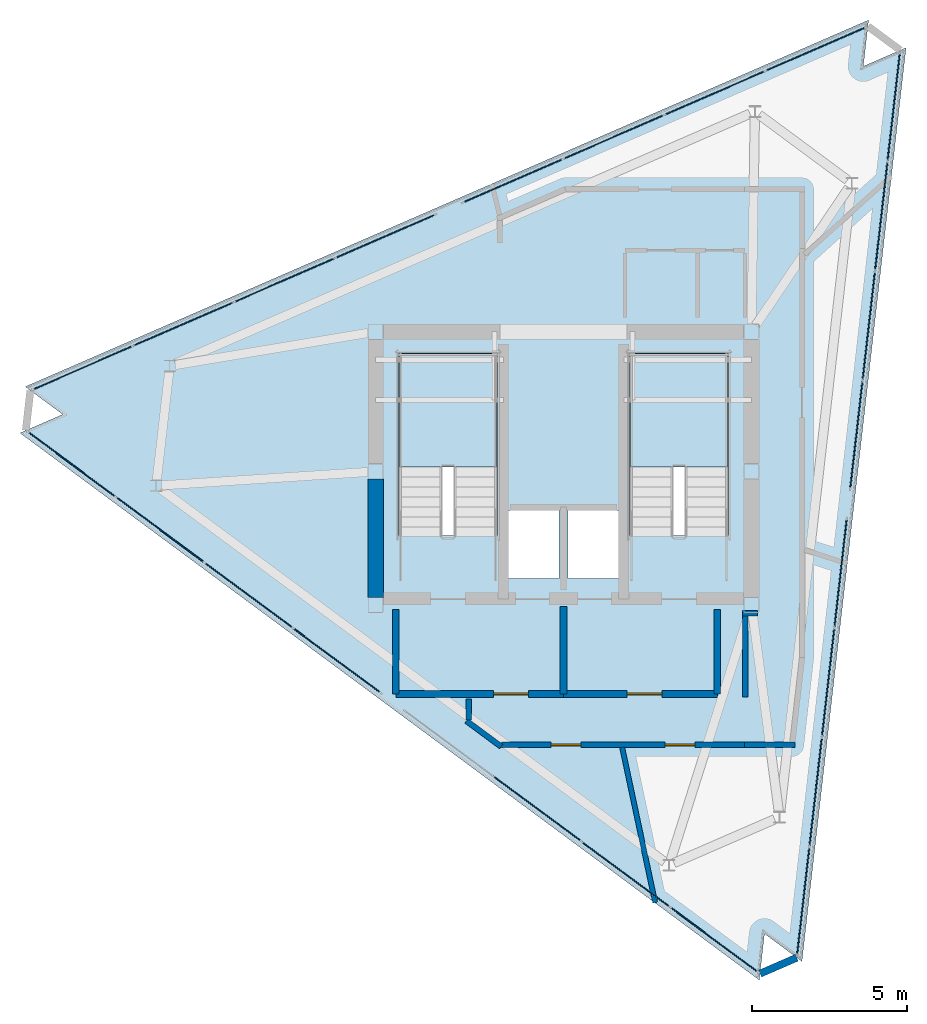
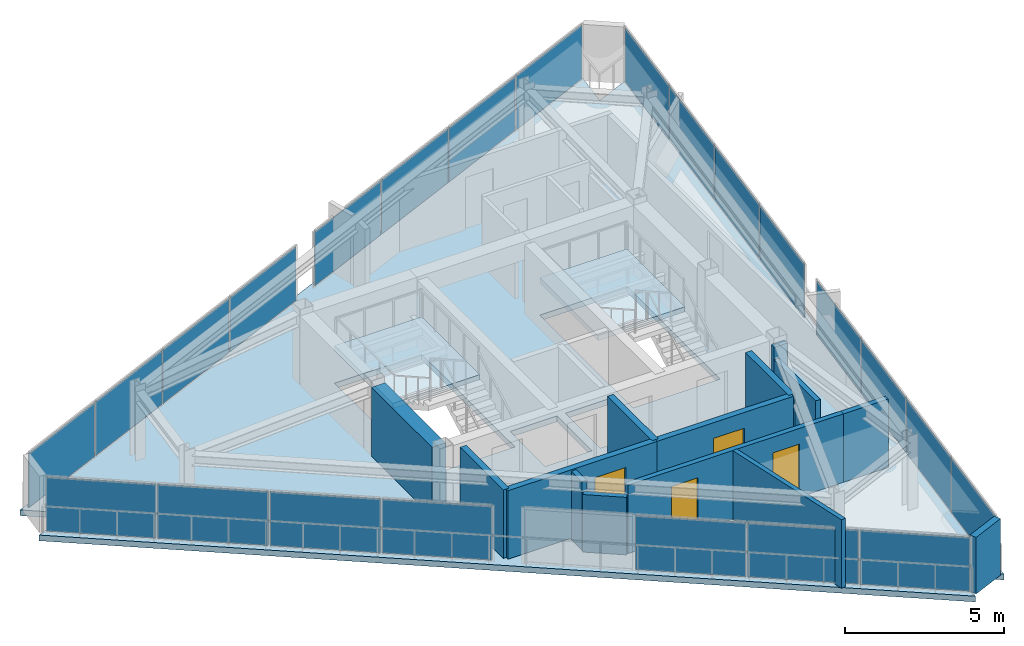
# One storey, part 6 of 9: 23 plates, 14 walls, 4 doors, 3 slabs, 4 openings, 8 elements without a shape of their own.
"""IFC4 building model written with IfcOpenShell, lengths in metres."""

from ifc_helpers import new_model, si_unit, direction, frame, frame_2d, origin, origin_2d, place, context, subcontext, project, spatial, polyline, rectangle, outline, extrude, material, layer, layer_set, type_object, element, fill, aggregate, save


model = new_model("IFC4")

# Units and contexts
model_context = context("Model", 3, precision=1e-05, world=origin(), true_north=direction((0.0, 1.0)))
body_context = subcontext(model_context, "Body", "Model", "MODEL_VIEW")
ifc_project = project(units=[si_unit("LENGTHUNIT", "METRE"), si_unit("AREAUNIT", "SQUARE_METRE"), si_unit("VOLUMEUNIT", "CUBIC_METRE"), si_unit("PLANEANGLEUNIT", "RADIAN"), si_unit("MASSUNIT", "GRAM", prefix="KILO")], contexts=[model_context])

# Site, building, storey
site_placement = place(None, origin())
site = spatial("IfcSite", under=ifc_project, at=site_placement, CompositionType="ELEMENT")
building_placement = place(site_placement, origin())
building = spatial("IfcBuilding", under=site, at=building_placement, Name="Rocaltana Carrier Exchange", CompositionType="ELEMENT")
storey_placement = place(building_placement, frame((0.0, 0.0, 249.1201171875)))
storey = spatial("IfcBuildingStorey", under=building, at=storey_placement, Name="L79", CompositionType="ELEMENT", Elevation=249.1201171875)

# Curtain wall, plates
ifc_material_1 = material(Name="Aluminium 6063-T6", Category="aluminium")
ifc_layer_1 = layer(ifc_material_1, 0.110107421875)
ifc_layer_set_1 = layer_set([ifc_layer_1], Name="Aluminium 6063-T6")
curtain_wall_type = type_object("IfcCurtainWallType", Name="Crown Lantern Faceted Curtain Wall CW-06", PredefinedType="NOTDEFINED", material=ifc_layer_set_1)
curtain_wall_1_placement = place(storey_placement, origin())
curtain_wall_1 = element("IfcCurtainWall", 1, at=curtain_wall_1_placement, inside=storey, type_object=curtain_wall_type, Name="L79 CW-06 Run CW06-L79-F1S1", PredefinedType="NOTDEFINED")
ifc_material_2 = material(Name="Tempered Laminated Glass", Category="glass")
ifc_layer_2 = layer(ifc_material_2, 0.033935546875)
ifc_layer_set_2 = layer_set([ifc_layer_2], Name="Tempered Laminated Glass")
plate_type = type_object("IfcPlateType", Name="CW-06 Stone-Insulated Vision Panel", PredefinedType="CURTAIN_PANEL", material=ifc_layer_set_2)
plate_1_placement = place(storey_placement, frame((7.715576171875, -13.823486328125, 0.054931640625), z_axis=(0.0, 0.0, 1.0), x_axis=(0.113204373575, 0.993571723533, 0.0)))
plate_1 = element("IfcPlate", 2, at=plate_1_placement, type_object=plate_type, Name="CW-06 panel 1.1", PredefinedType="CURTAIN_PANEL", context=body_context, shape_type="SweptSolid", body=[
    extrude(rectangle(XDim=3.467529296875, YDim=0.033935546875, at=origin_2d()), origin(), (0.0, 0.0, 1.0), 2.05810546875),
])
plate_2_placement = place(storey_placement, frame((8.11572265625, -10.31005859375, 0.054931640625), z_axis=(0.0, 0.0, 1.0), x_axis=(0.113204373575, 0.993571723533, 0.0)))
plate_2 = element("IfcPlate", 3, at=plate_2_placement, type_object=plate_type, Name="CW-06 panel 2.1", PredefinedType="CURTAIN_PANEL", context=body_context, shape_type="SweptSolid", body=[
    extrude(rectangle(XDim=3.4951171875, YDim=0.033935546875, at=origin_2d()), origin(), (0.0, 0.0, 1.0), 2.05810546875),
])
plate_3_placement = place(storey_placement, frame((8.517578125, -6.782958984375, 0.054931640625), z_axis=(0.0, 0.0, 1.0), x_axis=(0.113204373575, 0.993571723533, 0.0)))
plate_3 = element("IfcPlate", 4, at=plate_3_placement, type_object=plate_type, Name="CW-06 panel 3.1", PredefinedType="CURTAIN_PANEL", context=body_context, shape_type="SweptSolid", body=[
    extrude(rectangle(XDim=3.4951171875, YDim=0.033935546875, at=origin_2d()), origin(), (0.0, 0.0, 1.0), 2.05810546875),
])
plate_4_placement = place(storey_placement, frame((8.91796875, -3.269287109375, 0.054931640625), z_axis=(0.0, 0.0, 1.0), x_axis=(0.113204373575, 0.993571723533, 0.0)))
plate_4 = element("IfcPlate", 5, at=plate_4_placement, type_object=plate_type, Name="CW-06 panel 4.1", PredefinedType="CURTAIN_PANEL", context=body_context, shape_type="SweptSolid", body=[
    extrude(rectangle(XDim=3.467529296875, YDim=0.033935546875, at=origin_2d()), origin(), (0.0, 0.0, 1.0), 2.05810546875),
])
aggregate(curtain_wall_1, [plate_1, plate_2, plate_3, plate_4])

curtain_wall_2_placement = place(storey_placement, origin())
curtain_wall_2 = element("IfcCurtainWall", 6, at=curtain_wall_2_placement, inside=storey, type_object=curtain_wall_type, Name="L79 CW-06 Run CW06-L79-F1S2", PredefinedType="NOTDEFINED")
plate_5_placement = place(storey_placement, frame((9.4248046875, 1.179443359375, 0.054931640625), z_axis=(0.0, 0.0, 1.0), x_axis=(0.113204373575, 0.993571723533, 0.0)))
plate_5 = element("IfcPlate", 7, at=plate_5_placement, type_object=plate_type, Name="CW-06 panel 1.1", PredefinedType="CURTAIN_PANEL", context=body_context, shape_type="SweptSolid", body=[
    extrude(rectangle(XDim=3.467529296875, YDim=0.033935546875, at=origin_2d()), origin(), (0.0, 0.0, 1.0), 2.05810546875),
])
plate_6_placement = place(storey_placement, frame((9.8251953125, 4.69287109375, 0.054931640625), z_axis=(0.0, 0.0, 1.0), x_axis=(0.113204373575, 0.993571723533, 0.0)))
plate_6 = element("IfcPlate", 8, at=plate_6_placement, type_object=plate_type, Name="CW-06 panel 2.1", PredefinedType="CURTAIN_PANEL", context=body_context, shape_type="SweptSolid", body=[
    extrude(rectangle(XDim=3.4951171875, YDim=0.033935546875, at=origin_2d()), origin(), (0.0, 0.0, 1.0), 2.05810546875),
])
plate_7_placement = place(storey_placement, frame((10.22705078125, 8.22021484375, 0.054931640625), z_axis=(0.0, 0.0, 1.0), x_axis=(0.113204373575, 0.993571723533, 0.0)))
plate_7 = element("IfcPlate", 9, at=plate_7_placement, type_object=plate_type, Name="CW-06 panel 3.1", PredefinedType="CURTAIN_PANEL", context=body_context, shape_type="SweptSolid", body=[
    extrude(rectangle(XDim=3.4951171875, YDim=0.033935546875, at=origin_2d()), origin(), (0.0, 0.0, 1.0), 2.05810546875),
])
plate_8_placement = place(storey_placement, frame((10.62744140625, 11.733642578125, 0.054931640625), z_axis=(0.0, 0.0, 1.0), x_axis=(0.113204373575, 0.993571723533, 0.0)))
plate_8 = element("IfcPlate", 10, at=plate_8_placement, type_object=plate_type, Name="CW-06 panel 4.1", PredefinedType="CURTAIN_PANEL", context=body_context, shape_type="SweptSolid", body=[
    extrude(rectangle(XDim=3.467529296875, YDim=0.033935546875, at=origin_2d()), origin(), (0.0, 0.0, 1.0), 2.05810546875),
])
aggregate(curtain_wall_2, [plate_5, plate_6, plate_7, plate_8])

curtain_wall_3_placement = place(storey_placement, origin())
curtain_wall_3 = element("IfcCurtainWall", 11, at=curtain_wall_3_placement, inside=storey, type_object=curtain_wall_type, Name="L79 CW-06 Run CW06-L79-F2S1", PredefinedType="NOTDEFINED")
plate_9_placement = place(storey_placement, frame((8.11376953125, 13.59375, 0.054931640625), z_axis=(0.0, 0.0, 1.0), x_axis=(-0.917058971958, -0.398751604325, 0.0)))
plate_9 = element("IfcPlate", 12, at=plate_9_placement, type_object=plate_type, Name="CW-06 panel 1.1", PredefinedType="CURTAIN_PANEL", context=body_context, shape_type="SweptSolid", body=[
    extrude(rectangle(XDim=3.467529296875, YDim=0.033935546875, at=origin_2d()), origin(), (0.0, 0.0, 1.0), 2.05810546875),
])
plate_10_placement = place(storey_placement, frame((4.870849609375, 12.18359375, 0.054931640625), z_axis=(0.0, 0.0, 1.0), x_axis=(-0.917058971958, -0.398751604325, 0.0)))
plate_10 = element("IfcPlate", 13, at=plate_10_placement, type_object=plate_type, Name="CW-06 panel 2.1", PredefinedType="CURTAIN_PANEL", context=body_context, shape_type="SweptSolid", body=[
    extrude(rectangle(XDim=3.4951171875, YDim=0.033935546875, at=origin_2d()), origin(), (0.0, 0.0, 1.0), 2.05810546875),
])
plate_11_placement = place(storey_placement, frame((1.615234375, 10.76806640625, 0.054931640625), z_axis=(0.0, 0.0, 1.0), x_axis=(-0.917058971958, -0.398751604325, 0.0)))
plate_11 = element("IfcPlate", 14, at=plate_11_placement, type_object=plate_type, Name="CW-06 panel 3.1", PredefinedType="CURTAIN_PANEL", context=body_context, shape_type="SweptSolid", body=[
    extrude(rectangle(XDim=3.4951171875, YDim=0.033935546875, at=origin_2d()), origin(), (0.0, 0.0, 1.0), 2.05810546875),
])
plate_12_placement = place(storey_placement, frame((-1.627685546875, 9.35791015625, 0.054931640625), z_axis=(0.0, 0.0, 1.0), x_axis=(-0.917058971958, -0.398751604325, 0.0)))
plate_12 = element("IfcPlate", 15, at=plate_12_placement, type_object=plate_type, Name="CW-06 panel 4.1", PredefinedType="CURTAIN_PANEL", context=body_context, shape_type="SweptSolid", body=[
    extrude(rectangle(XDim=3.467529296875, YDim=0.033935546875, at=origin_2d()), origin(), (0.0, 0.0, 1.0), 2.05810546875),
])
aggregate(curtain_wall_3, [plate_9, plate_10, plate_11, plate_12])

curtain_wall_4_placement = place(storey_placement, origin())
curtain_wall_4 = element("IfcCurtainWall", 16, at=curtain_wall_4_placement, inside=storey, type_object=curtain_wall_type, Name="L79 CW-06 Run CW06-L79-F2S2", PredefinedType="NOTDEFINED")
plate_13_placement = place(storey_placement, frame((-5.73388671875, 7.572509765625, 0.054931640625), z_axis=(0.0, 0.0, 1.0), x_axis=(-0.917057852215, -0.398754179529, 0.0)))
plate_13 = element("IfcPlate", 17, at=plate_13_placement, type_object=plate_type, Name="CW-06 panel 1.1", PredefinedType="CURTAIN_PANEL", context=body_context, shape_type="SweptSolid", body=[
    extrude(rectangle(XDim=3.467529296875, YDim=0.033935546875, at=origin_2d()), origin(), (0.0, 0.0, 1.0), 2.05810546875),
])
plate_14_placement = place(storey_placement, frame((-8.976806640625, 6.162353515625, 0.054931640625), z_axis=(0.0, 0.0, 1.0), x_axis=(-0.917057852215, -0.398754179529, 0.0)))
plate_14 = element("IfcPlate", 18, at=plate_14_placement, type_object=plate_type, Name="CW-06 panel 2.1", PredefinedType="CURTAIN_PANEL", context=body_context, shape_type="SweptSolid", body=[
    extrude(rectangle(XDim=3.494873046875, YDim=0.033935546875, at=origin_2d()), origin(), (0.0, 0.0, 1.0), 2.05810546875),
])
plate_15_placement = place(storey_placement, frame((-12.232421875, 4.746826171875, 0.054931640625), z_axis=(0.0, 0.0, 1.0), x_axis=(-0.917057852215, -0.398754179529, 0.0)))
plate_15 = element("IfcPlate", 19, at=plate_15_placement, type_object=plate_type, Name="CW-06 panel 3.1", PredefinedType="CURTAIN_PANEL", context=body_context, shape_type="SweptSolid", body=[
    extrude(rectangle(XDim=3.494873046875, YDim=0.033935546875, at=origin_2d()), origin(), (0.0, 0.0, 1.0), 2.05810546875),
])
plate_16_placement = place(storey_placement, frame((-15.475341796875, 3.336669921875, 0.054931640625), z_axis=(0.0, 0.0, 1.0), x_axis=(-0.917057852215, -0.398754179529, 0.0)))
plate_16 = element("IfcPlate", 20, at=plate_16_placement, type_object=plate_type, Name="CW-06 panel 4.1", PredefinedType="CURTAIN_PANEL", context=body_context, shape_type="SweptSolid", body=[
    extrude(rectangle(XDim=3.467529296875, YDim=0.033935546875, at=origin_2d()), origin(), (0.0, 0.0, 1.0), 2.05810546875),
])
aggregate(curtain_wall_4, [plate_13, plate_14, plate_15, plate_16])

curtain_wall_5_placement = place(storey_placement, origin())
curtain_wall_5 = element("IfcCurtainWall", 21, at=curtain_wall_5_placement, inside=storey, type_object=curtain_wall_type, Name="L79 CW-06 Run CW06-L79-F3S1", PredefinedType="NOTDEFINED")
plate_17_placement = place(storey_placement, frame((-15.829345703125, 0.22998046875, 0.054931640625), z_axis=(0.0, 0.0, 1.0), x_axis=(0.803857119192, -0.594822437307, 0.0)))
plate_17 = element("IfcPlate", 22, at=plate_17_placement, type_object=plate_type, Name="CW-06 panel 1.1", PredefinedType="CURTAIN_PANEL", context=body_context, shape_type="SweptSolid", body=[
    extrude(rectangle(XDim=3.467529296875, YDim=0.033935546875, at=origin_2d()), origin(), (0.0, 0.0, 1.0), 2.05810546875),
])
plate_18_placement = place(storey_placement, frame((-12.986572265625, -1.87353515625, 0.054931640625), z_axis=(0.0, 0.0, 1.0), x_axis=(0.803857119192, -0.594822437307, 0.0)))
plate_18 = element("IfcPlate", 23, at=plate_18_placement, type_object=plate_type, Name="CW-06 panel 2.1", PredefinedType="CURTAIN_PANEL", context=body_context, shape_type="SweptSolid", body=[
    extrude(rectangle(XDim=3.4951171875, YDim=0.033935546875, at=origin_2d()), origin(), (0.0, 0.0, 1.0), 2.05810546875),
])
plate_19_placement = place(storey_placement, frame((-10.133056640625, -3.985107421875, 0.054931640625), z_axis=(0.0, 0.0, 1.0), x_axis=(0.803857119192, -0.594822437307, 0.0)))
plate_19 = element("IfcPlate", 24, at=plate_19_placement, type_object=plate_type, Name="CW-06 panel 3.1", PredefinedType="CURTAIN_PANEL", context=body_context, shape_type="SweptSolid", body=[
    extrude(rectangle(XDim=3.4951171875, YDim=0.033935546875, at=origin_2d()), origin(), (0.0, 0.0, 1.0), 2.05810546875),
])
plate_20_placement = place(storey_placement, frame((-7.290283203125, -6.088623046875, 0.054931640625), z_axis=(0.0, 0.0, 1.0), x_axis=(0.803857119192, -0.594822437307, 0.0)))
plate_20 = element("IfcPlate", 25, at=plate_20_placement, type_object=plate_type, Name="CW-06 panel 4.1", PredefinedType="CURTAIN_PANEL", context=body_context, shape_type="SweptSolid", body=[
    extrude(rectangle(XDim=3.467529296875, YDim=0.033935546875, at=origin_2d()), origin(), (0.0, 0.0, 1.0), 2.05810546875),
])
aggregate(curtain_wall_5, [plate_17, plate_18, plate_19, plate_20])

curtain_wall_6_placement = place(storey_placement, origin())
curtain_wall_6 = element("IfcCurtainWall", 26, at=curtain_wall_6_placement, inside=storey, type_object=curtain_wall_type, Name="L79 CW-06 Run CW06-L79-F3S2", PredefinedType="NOTDEFINED")
plate_21_placement = place(storey_placement, frame((-0.848388671875, -10.855224609375, 0.054931640625), z_axis=(0.0, 0.0, 1.0), x_axis=(0.803857119192, -0.594822437307, 0.0)))
plate_21 = element("IfcPlate", 27, at=plate_21_placement, type_object=plate_type, Name="CW-06 panel 2.1", PredefinedType="CURTAIN_PANEL", context=body_context, shape_type="SweptSolid", body=[
    extrude(rectangle(XDim=3.4951171875, YDim=0.033935546875, at=origin_2d()), origin(), (0.0, 0.0, 1.0), 2.05810546875),
])
plate_22_placement = place(storey_placement, frame((2.00537109375, -12.967041015625, 0.054931640625), z_axis=(0.0, 0.0, 1.0), x_axis=(0.803857119192, -0.594822437307, 0.0)))
plate_22 = element("IfcPlate", 28, at=plate_22_placement, type_object=plate_type, Name="CW-06 panel 3.1", PredefinedType="CURTAIN_PANEL", context=body_context, shape_type="SweptSolid", body=[
    extrude(rectangle(XDim=3.4951171875, YDim=0.033935546875, at=origin_2d()), origin(), (0.0, 0.0, 1.0), 2.05810546875),
])
plate_23_placement = place(storey_placement, frame((4.847900390625, -15.0703125, 0.054931640625), z_axis=(0.0, 0.0, 1.0), x_axis=(0.803857119192, -0.594822437307, 0.0)))
plate_23 = element("IfcPlate", 29, at=plate_23_placement, type_object=plate_type, Name="CW-06 panel 4.1", PredefinedType="CURTAIN_PANEL", context=body_context, shape_type="SweptSolid", body=[
    extrude(rectangle(XDim=3.467529296875, YDim=0.033935546875, at=origin_2d()), origin(), (0.0, 0.0, 1.0), 2.05810546875),
])
aggregate(curtain_wall_6, [plate_21, plate_22, plate_23])

# Slab
ifc_material_3 = material(Name="Concrete C50/60", Category="concrete")
ifc_layer_3 = layer(ifc_material_3, 0.219970703125)
ifc_layer_set_3 = layer_set([ifc_layer_3], Name="Concrete C50/60")
slab_type_1 = type_object("IfcSlabType", Name="Crown Pyramid Slab 220", PredefinedType="FLOOR", material=ifc_layer_set_3)
slab_1_placement = place(storey_placement, frame((0.0, 0.0, -0.22021484375)))
element("IfcSlab", 30, at=slab_1_placement, inside=storey, type_object=slab_type_1, Name="L79 Structural Floor Slab", PredefinedType="FLOOR", context=body_context, shape_type="SweptSolid", body=[
    extrude(outline(polyline([(6.29931640625, -16.368408203125), (6.468994140625, -14.8779296875), (7.6748046875, -15.770263671875), (11.025634765625, 13.639404296875), (9.650146484375, 13.04150390625), (9.81982421875, 14.53173828125), (-17.324951171875, 2.728759765625), (-16.119384765625, 1.836669921875), (-17.494873046875, 1.23828125), (6.29931640625, -16.368408203125)]), holes=[polyline([(-5.300048828125, -2.06005859375), (-2.139892578125, -2.06005859375), (-2.139892578125, 3.800048828125), (-5.300048828125, 3.800048828125), (-5.300048828125, -2.06005859375)]), polyline([(2.139892578125, -2.06005859375), (5.300048828125, -2.06005859375), (5.300048828125, 3.800048828125), (2.139892578125, 3.800048828125), (2.139892578125, -2.06005859375)]), polyline([(-1.85009765625, -3.449951171875), (-0.14990234375, -3.449951171875), (-0.14990234375, -1.25), (-1.85009765625, -1.25), (-1.85009765625, -3.449951171875)]), polyline([(0.14990234375, -3.449951171875), (1.85009765625, -3.449951171875), (1.85009765625, -1.25), (0.14990234375, -1.25), (0.14990234375, -3.449951171875)])]), origin(), (0.0, 0.0, 1.0), 0.22021484375),
])

# Stair, slab
ifc_material_4 = material(Name="Precast concrete C45/55", Category="concrete")
stair_type = type_object("IfcStairType", Name="Standard Dog-Leg Stair 160", PredefinedType="HALF_TURN_STAIR", material=ifc_material_4)
stair_1_placement = place(storey_placement, origin())
stair_1 = element("IfcStair", 31, at=stair_1_placement, inside=storey, type_object=stair_type, Name="L79 Core West Exit Stair ST-1", PredefinedType="HALF_TURN_STAIR")
ifc_material_5 = material(Name="Precast concrete C45/55", Category="concrete")
ifc_layer_4 = layer(ifc_material_5, 0.199951171875)
ifc_layer_set_4 = layer_set([ifc_layer_4], Name="Precast concrete C45/55")
slab_type_2 = type_object("IfcSlabType", Name="Precast Stair Half-Landing 200", PredefinedType="LANDING", material=ifc_layer_set_4)
slab_2_placement = place(storey_placement, frame((0.0, 0.0, 1.239990234375)))
slab_2 = element("IfcSlab", 32, at=slab_2_placement, type_object=slab_type_2, Name="ST-1 landing 1", PredefinedType="LANDING", context=body_context, shape_type="SweptSolid", body=[
    extrude(outline(polyline([(-2.139892578125, 0.139892578125), (-2.139892578125, 3.800048828125), (-5.300048828125, 3.800048828125), (-5.300048828125, 0.139892578125), (-2.139892578125, 0.139892578125)])), origin(), (0.0, 0.0, 1.0), 0.199951171875),
])
aggregate(stair_1, [slab_2])

stair_2_placement = place(storey_placement, origin())
stair_2 = element("IfcStair", 33, at=stair_2_placement, inside=storey, type_object=stair_type, Name="L79 Core East Exit Stair ST-2", PredefinedType="HALF_TURN_STAIR")
slab_3_placement = place(storey_placement, frame((0.0, 0.0, 1.239990234375)))
slab_3 = element("IfcSlab", 34, at=slab_3_placement, type_object=slab_type_2, Name="ST-2 landing 1", PredefinedType="LANDING", context=body_context, shape_type="SweptSolid", body=[
    extrude(outline(polyline([(5.300048828125, 0.139892578125), (5.300048828125, 3.800048828125), (2.139892578125, 3.800048828125), (2.139892578125, 0.139892578125), (5.300048828125, 0.139892578125)])), origin(), (0.0, 0.0, 1.0), 0.199951171875),
])
aggregate(stair_2, [slab_3])

# Walls
ifc_material_6 = material(Name="Double Acoustic Gypsum Partition", Category="gypsum")
ifc_layer_5 = layer(ifc_material_6, 0.159912109375)
ifc_layer_set_5 = layer_set([ifc_layer_5], Name="Double Acoustic Gypsum Partition")
wall_type_1 = type_object("IfcWallType", Name="Acoustic Studio Partition 160 EI60", PredefinedType="PARTITIONING", material=ifc_layer_set_5)
wall_1_placement = place(storey_placement, frame((1.887451171875, -8.8798828125, 0.0), z_axis=(0.0, 0.0, 1.0), x_axis=(0.207919908666, -0.97814585394, 0.0)))
element("IfcWall", 35, at=wall_1_placement, inside=storey, type_object=wall_type_1, Name="L79 Suite Divider Wall D1", PredefinedType="PARTITIONING", context=body_context, shape_type="SweptSolid", body=[
    extrude(rectangle(XDim=5.10888671875, YDim=0.159912109375, at=frame_2d((2.554443359375, 0.0))), origin(), (0.0, 0.0, 1.0), 2.622802734375),
])
ifc_material_7 = material(Name="Concrete C50/60", Category="concrete")
ifc_layer_6 = layer(ifc_material_7, 0.5)
ifc_layer_set_6 = layer_set([ifc_layer_6], Name="Concrete C50/60")
wall_type_2 = type_object("IfcWallType", Name="Core Shear Wall 500", PredefinedType="SHEAR", material=ifc_layer_set_6)
wall_2_placement = place(storey_placement, frame((-6.050048828125, -4.050048828125, 0.0), z_axis=(0.0, 0.0, 1.0), x_axis=(0.0, 1.0, 0.0)))
element("IfcWall", 36, at=wall_2_placement, inside=storey, type_object=wall_type_2, Name="L79 Core Shear Wall CW-WS", PredefinedType="SHEAR", context=body_context, shape_type="SweptSolid", body=[
    extrude(rectangle(XDim=3.800048828125, YDim=0.5, at=frame_2d((1.89990234375, 0.0))), origin(), (0.0, 0.0, 1.0), 2.64794921875),
])
ifc_material_8 = material(Name="Gypsum & Steel Stud Partition", Category="steel")
ifc_layer_7 = layer(ifc_material_8, 0.179931640625)
ifc_layer_set_7 = layer_set([ifc_layer_7], Name="Gypsum & Steel Stud Partition")
wall_type_3 = type_object("IfcWallType", Name="Corridor Fire Partition 180 EI60", PredefinedType="PARTITIONING", material=ifc_layer_set_7)
wall_3_placement = place(storey_placement, frame((-2.007080078125, -8.853515625, 0.0), z_axis=(0.0, 0.0, 1.0), x_axis=(-0.803868825014, 0.594806617458, 0.0)))
element("IfcWall", 37, at=wall_3_placement, inside=storey, type_object=wall_type_3, Name="L79 Corridor Partition 1", PredefinedType="PARTITIONING", context=body_context, shape_type="SweptSolid", body=[
    extrude(rectangle(XDim=1.387451171875, YDim=0.179931640625, at=frame_2d((0.69384765625, 0.0))), origin(), (0.0, 0.0, 1.0), 2.202880859375),
])
wall_4_placement = place(storey_placement, frame((-3.050048828125, -7.99169921875, 0.0), z_axis=(0.0, 0.0, 1.0), x_axis=(0.0, 1.0, 0.0)))
element("IfcWall", 38, at=wall_4_placement, inside=storey, type_object=wall_type_3, Name="L79 Corridor Partition 2", PredefinedType="PARTITIONING", context=body_context, shape_type="SweptSolid", body=[
    extrude(rectangle(XDim=0.66162109375, YDim=0.179931640625, at=frame_2d((0.330810546875, 0.0))), origin(), (0.0, 0.0, 1.0), 2.622802734375),
])
wall_5_placement = place(storey_placement, frame((5.85009765625, -7.260009765625, 0.0), z_axis=(0.0, 0.0, 1.0), x_axis=(0.0, 1.0, 0.0)))
element("IfcWall", 39, at=wall_5_placement, inside=storey, type_object=wall_type_3, Name="L79 Corridor Partition 3", PredefinedType="PARTITIONING", context=body_context, shape_type="SweptSolid", body=[
    extrude(rectangle(XDim=2.610107421875, YDim=0.179931640625, at=frame_2d((1.30517578125, 0.0))), origin(), (0.0, 0.0, 1.0), 2.15283203125),
])
wall_6_placement = place(storey_placement, frame((5.760009765625, -4.56005859375, 0.0), z_axis=(0.0, 0.0, 1.0), x_axis=(1.0, 0.0, 0.0)))
element("IfcWall", 40, at=wall_6_placement, inside=storey, type_object=wall_type_3, Name="L79 Corridor Partition 4", PredefinedType="PARTITIONING", context=body_context, shape_type="SweptSolid", body=[
    extrude(rectangle(XDim=0.47998046875, YDim=0.179931640625, at=frame_2d((0.239990234375, 0.0))), origin(), (0.0, 0.0, 1.0), 2.622802734375),
])
wall_7_placement = place(storey_placement, frame((7.451904296875, -8.800048828125, 0.0), z_axis=(0.0, 0.0, 1.0), x_axis=(-1.0, 0.0, 0.0)))
element("IfcWall", 41, at=wall_7_placement, inside=storey, type_object=wall_type_3, Name="L79 Corridor Partition 13", PredefinedType="PARTITIONING", context=body_context, shape_type="SweptSolid", body=[
    extrude(rectangle(XDim=1.621826171875, YDim=0.179931640625, at=frame_2d((0.81103515625, 0.0))), origin(), (0.0, 0.0, 1.0), 2.622802734375),
])

# Wall, openings, doors
wall_8_placement = place(storey_placement, frame((5.8701171875, -8.800048828125, 0.0), z_axis=(0.0, 0.0, 1.0), x_axis=(-1.0, 0.0, 0.0)))
wall_8 = element("IfcWall", 42, at=wall_8_placement, inside=storey, type_object=wall_type_3, Name="L79 Corridor Partition 14", PredefinedType="PARTITIONING", context=body_context, shape_type="SweptSolid", body=[
    extrude(rectangle(XDim=7.859619140625, YDim=0.179931640625, at=frame_2d((3.9296875, 0.0))), origin(), (0.0, 0.0, 1.0), 2.622802734375),
])
opening_1_placement = place(wall_8_placement, frame((5.3115234375, 0.0, 0.0)))
opening_1 = element("IfcOpeningElement", 43, at=opening_1_placement, cuts=wall_8, Name="Opening D-RM098", PredefinedType="OPENING", context=body_context, shape_type="SweptSolid", body=[
    extrude(rectangle(XDim=0.9599609375, YDim=2.02001953125, at=frame_2d((0.47998046875, 1.010009765625))), frame((0.0, 0.099853515625, 0.0), z_axis=(0.0, -1.0, 0.0), x_axis=(1.0, 0.0, 0.0)), (0.0, 0.0, 1.0), 0.199951171875),
])
opening_2_placement = place(wall_8_placement, frame((1.640380859375, 0.0, 0.0)))
opening_2 = element("IfcOpeningElement", 44, at=opening_2_placement, cuts=wall_8, Name="Opening D-RM098", PredefinedType="OPENING", context=body_context, shape_type="SweptSolid", body=[
    extrude(rectangle(XDim=0.9599609375, YDim=2.02001953125, at=frame_2d((0.47998046875, 1.010009765625))), frame((0.0, 0.099853515625, 0.0), z_axis=(0.0, -1.0, 0.0), x_axis=(1.0, 0.0, 0.0)), (0.0, 0.0, 1.0), 0.199951171875),
])
ifc_material_9 = material(Name="Engineered Hardwood Timber", Category="wood")
door_type_1 = type_object("IfcDoorType", Name="Workspace Single Door 960x2020", OperationType="NOTDEFINED", PredefinedType="DOOR", material=ifc_material_9)
door_1_placement = place(opening_1_placement, origin())
door_1 = element("IfcDoor", 45, at=door_1_placement, inside=storey, type_object=door_type_1, Name="L79 Executive Peering Boardroom Entrance Door", OperationType="SINGLE_SWING_LEFT", OverallHeight=2.02001953125, OverallWidth=0.9599609375, PredefinedType="DOOR", context=body_context, shape_type="SweptSolid", body=[
    extrude(rectangle(XDim=0.9599609375, YDim=2.02001953125, at=frame_2d((0.47998046875, 1.010009765625))), frame((0.0, 0.02490234375, 0.0), z_axis=(0.0, -1.0, 0.0), x_axis=(1.0, 0.0, 0.0)), (0.0, 0.0, 1.0), 0.050048828125),
])
fill(opening_1, door_1)
door_2_placement = place(opening_2_placement, origin())
door_2 = element("IfcDoor", 46, at=door_2_placement, inside=storey, type_object=door_type_1, Name="L79 Staff Break Pantry Entrance Door", OperationType="SINGLE_SWING_RIGHT", OverallHeight=2.02001953125, OverallWidth=0.9599609375, PredefinedType="DOOR", context=body_context, shape_type="SweptSolid", body=[
    extrude(rectangle(XDim=0.9599609375, YDim=2.02001953125, at=frame_2d((0.47998046875, 1.010009765625))), frame((0.0, 0.02490234375, 0.0), z_axis=(0.0, -1.0, 0.0), x_axis=(1.0, 0.0, 0.0)), (0.0, 0.0, 1.0), 0.050048828125),
])
fill(opening_2, door_2)

# Walls
ifc_material_10 = material(Name="Autoclaved Aerated Concrete C30/37", Category="concrete")
ifc_layer_8 = layer(ifc_material_10, 0.219970703125)
ifc_layer_set_8 = layer_set([ifc_layer_8], Name="Autoclaved Aerated Concrete C30/37")
wall_type_4 = type_object("IfcWallType", Name="Firefighting Lobby Wall 220 EI120", PredefinedType="PARTITIONING", material=ifc_layer_set_8)
for number, where, z_axis, x_axis, name in (
    (47, (-5.39990234375, -7.159912109375, 0.0), (0.0, 0.0, 1.0), (0.0, 1.0, 0.0), "L79 FFL Lobby 1 West Wall"),
    (48, (4.949951171875, -7.159912109375, 0.0), (0.0, 0.0, 1.0), (0.0, 1.0, 0.0), "L79 FFL Lobby 2 East Wall"),
):
    element("IfcWall", number, at=place(storey_placement, frame(where, z_axis=z_axis, x_axis=x_axis)), inside=storey, type_object=wall_type_4, Name=name, PredefinedType="PARTITIONING", context=body_context, shape_type="SweptSolid", body=[
        extrude(rectangle(XDim=2.7099609375, YDim=0.219970703125, at=frame_2d((1.35498046875, 0.0))), origin(), (0.0, 0.0, 1.0), 2.622802734375),
    ])
wall_9_placement = place(storey_placement, frame((0.0, -7.159912109375, 0.0), z_axis=(0.0, 0.0, 1.0), x_axis=(0.0, 1.0, 0.0)))
element("IfcWall", 49, at=wall_9_placement, inside=storey, type_object=wall_type_4, Name="L79 FFL Lobby Centre Wall", PredefinedType="PARTITIONING", context=body_context, shape_type="SweptSolid", body=[
    extrude(rectangle(XDim=2.809814453125, YDim=0.219970703125, at=frame_2d((1.40478515625, 0.0))), origin(), (0.0, 0.0, 1.0), 2.622802734375),
])

# Wall, opening, door
wall_10_placement = place(storey_placement, frame((-5.39990234375, -7.159912109375, 0.0), z_axis=(0.0, 0.0, 1.0), x_axis=(1.0, 0.0, 0.0)))
wall_10 = element("IfcWall", 50, at=wall_10_placement, inside=storey, type_object=wall_type_4, Name="L79 FFL Lobby 1 South Wall", PredefinedType="PARTITIONING", context=body_context, shape_type="SweptSolid", body=[
    extrude(rectangle(XDim=5.39990234375, YDim=0.219970703125, at=frame_2d((2.699951171875, 0.0))), origin(), (0.0, 0.0, 1.0), 2.622802734375),
])
opening_3_placement = place(wall_10_placement, frame((3.14990234375, 0.0, 0.0)))
opening_3 = element("IfcOpeningElement", 51, at=opening_3_placement, cuts=wall_10, Name="Opening D-FF115", PredefinedType="OPENING", context=body_context, shape_type="SweptSolid", body=[
    extrude(rectangle(XDim=1.1201171875, YDim=2.02001953125, at=frame_2d((0.56005859375, 1.010009765625))), frame((0.0, 0.119873046875, 0.0), z_axis=(0.0, -1.0, 0.0), x_axis=(1.0, 0.0, 0.0)), (0.0, 0.0, 1.0), 0.239990234375),
])
ifc_material_11 = material(Name="Hollow Metal Fire Door Assembly", Category="steel")
door_type_2 = type_object("IfcDoorType", Name="Firefighting Lobby Door 1120x2020 FD60S", OperationType="NOTDEFINED", PredefinedType="DOOR", material=ifc_material_11)
door_3_placement = place(opening_3_placement, origin())
door_3 = element("IfcDoor", 52, at=door_3_placement, inside=storey, type_object=door_type_2, Name="L79 Firefighting Lift Lobby 1 Door", OperationType="SINGLE_SWING_LEFT", OverallHeight=2.02001953125, OverallWidth=1.1201171875, PredefinedType="DOOR", context=body_context, shape_type="SweptSolid", body=[
    extrude(rectangle(XDim=1.1201171875, YDim=2.02001953125, at=frame_2d((0.56005859375, 1.010009765625))), frame((0.0, 0.02490234375, 0.0), z_axis=(0.0, -1.0, 0.0), x_axis=(1.0, 0.0, 0.0)), (0.0, 0.0, 1.0), 0.050048828125),
])
fill(opening_3, door_3)

wall_11_placement = place(storey_placement, frame((0.0, -7.159912109375, 0.0), z_axis=(0.0, 0.0, 1.0), x_axis=(1.0, 0.0, 0.0)))
wall_11 = element("IfcWall", 53, at=wall_11_placement, inside=storey, type_object=wall_type_4, Name="L79 FFL Lobby 2 South Wall", PredefinedType="PARTITIONING", context=body_context, shape_type="SweptSolid", body=[
    extrude(rectangle(XDim=4.949951171875, YDim=0.219970703125, at=frame_2d((2.47509765625, 0.0))), origin(), (0.0, 0.0, 1.0), 2.622802734375),
])
opening_4_placement = place(wall_11_placement, frame((2.050048828125, 0.0, 0.0)))
opening_4 = element("IfcOpeningElement", 54, at=opening_4_placement, cuts=wall_11, Name="Opening D-FF115", PredefinedType="OPENING", context=body_context, shape_type="SweptSolid", body=[
    extrude(rectangle(XDim=1.1201171875, YDim=2.02001953125, at=frame_2d((0.56005859375, 1.010009765625))), frame((0.0, 0.119873046875, 0.0), z_axis=(0.0, -1.0, 0.0), x_axis=(1.0, 0.0, 0.0)), (0.0, 0.0, 1.0), 0.239990234375),
])
door_4_placement = place(opening_4_placement, origin())
door_4 = element("IfcDoor", 55, at=door_4_placement, inside=storey, type_object=door_type_2, Name="L79 Firefighting Lift Lobby 2 Door", OperationType="SINGLE_SWING_RIGHT", OverallHeight=2.02001953125, OverallWidth=1.1201171875, PredefinedType="DOOR", context=body_context, shape_type="SweptSolid", body=[
    extrude(rectangle(XDim=1.1201171875, YDim=2.02001953125, at=frame_2d((0.56005859375, 1.010009765625))), frame((0.0, 0.02490234375, 0.0), z_axis=(0.0, -1.0, 0.0), x_axis=(1.0, 0.0, 0.0)), (0.0, 0.0, 1.0), 0.050048828125),
])
fill(opening_4, door_4)

# Wall
ifc_material_12 = material(Name="Precast sandstone concrete C40/50", Category="masonry")
ifc_layer_9 = layer(ifc_material_12, 0.239990234375)
ifc_layer_set_9 = layer_set([ifc_layer_9], Name="Precast sandstone concrete C40/50")
wall_type_5 = type_object("IfcWallType", Name="Terrace Stone Parapet Wall 240", PredefinedType="PARAPET", material=ifc_layer_set_9)
wall_12_placement = place(storey_placement, frame((6.325927734375, -16.1640625, 0.0), z_axis=(0.0, 0.0, 1.0), x_axis=(0.917064030228, 0.398739970986, 0.0)))
element("IfcWall", 56, at=wall_12_placement, inside=storey, type_object=wall_type_5, Name="L79 Crown Corner Mullion Wall C3", PredefinedType="PARAPET", context=body_context, shape_type="SweptSolid", body=[
    extrude(rectangle(XDim=1.288330078125, YDim=0.239990234375, at=frame_2d((0.64404296875, 0.0))), origin(), (0.0, 0.0, 1.0), 2.16796875),
])

save(model, "model.ifc")
